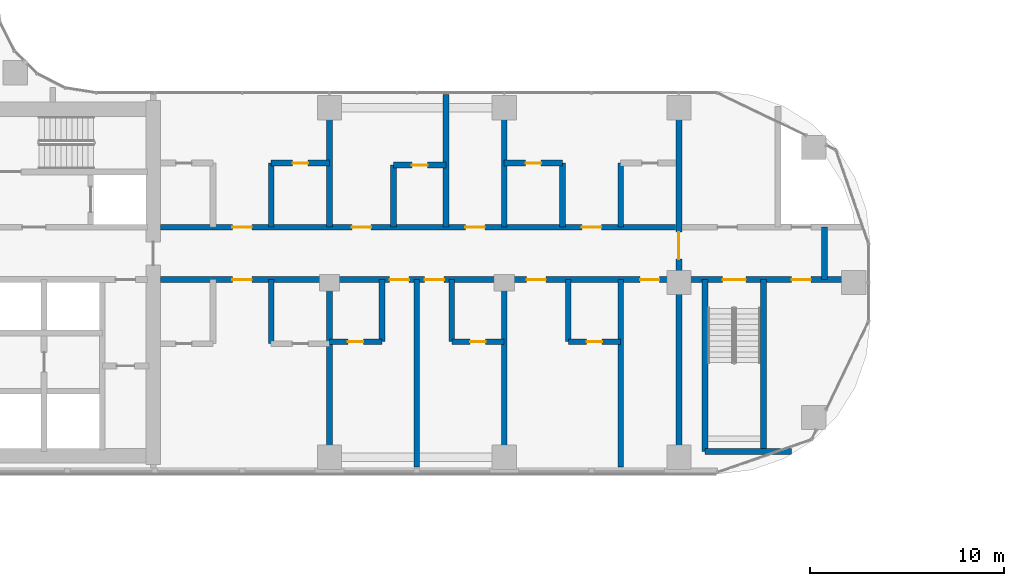
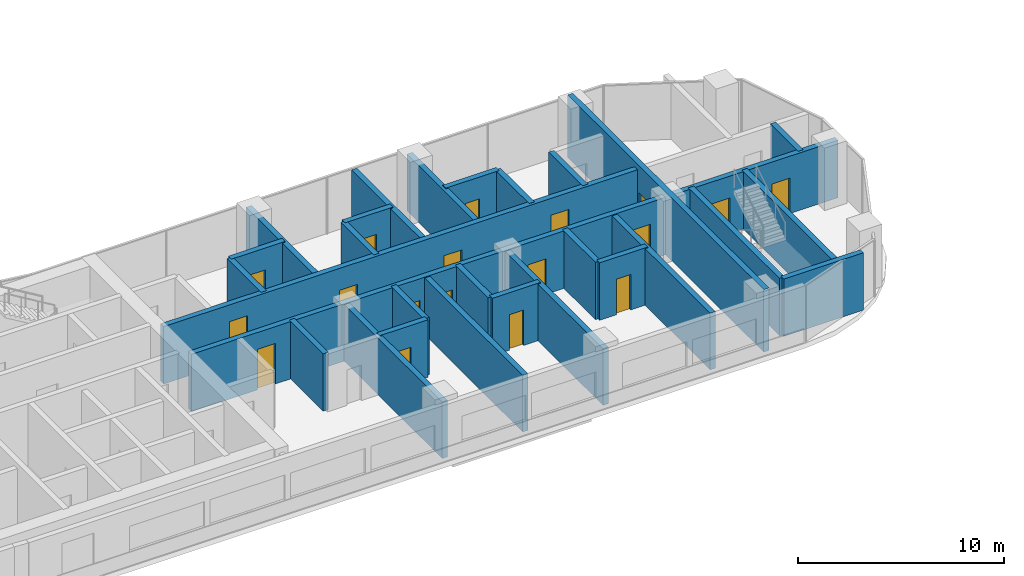
# One storey, part 19 of 35: 29 walls, 18 doors, 18 openings.
"""IFC4 building model written with IfcOpenShell, lengths in metres."""

from ifc_helpers import new_model, si_unit, direction, frame, frame_2d, origin, place, context, subcontext, project, spatial, rectangle, extrude, material, layer, layer_set, type_object, element, fill, save


model = new_model("IFC4")

# Units and contexts
model_context = context("Model", 3, precision=1e-05, world=origin(), true_north=direction((0.0, 1.0)))
body_context = subcontext(model_context, "Body", "Model", "MODEL_VIEW")
ifc_project = project(units=[si_unit("LENGTHUNIT", "METRE"), si_unit("AREAUNIT", "SQUARE_METRE"), si_unit("VOLUMEUNIT", "CUBIC_METRE"), si_unit("PLANEANGLEUNIT", "RADIAN"), si_unit("MASSUNIT", "GRAM", prefix="KILO")], contexts=[model_context])

# Site, building, storey
site_placement = place(None, origin())
site = spatial("IfcSite", under=ifc_project, at=site_placement, CompositionType="ELEMENT")
building_placement = place(site_placement, origin())
building = spatial("IfcBuilding", under=site, at=building_placement, Name="Ogive Portal Towers", CompositionType="ELEMENT")
storey_placement = place(building_placement, frame((0.0, 0.0, 94.5)))
storey = spatial("IfcBuildingStorey", under=building, at=storey_placement, Name="L22", CompositionType="ELEMENT", Elevation=94.5)

# Wall, opening, door
ifc_material_1 = material(Name="Concrete C60/75", Category="concrete")
ifc_layer_1 = layer(ifc_material_1, 0.300048828125)
ifc_layer_set_1 = layer_set([ifc_layer_1], Name="REVEAL WALL 300 C60")
wall_type_1 = type_object("IfcWallType", Name="REVEAL WALL 300 C60", PredefinedType="SHEAR", material=ifc_layer_set_1)
wall_1_placement = place(storey_placement, frame((85.5, 20.9951171875, 0.0), z_axis=(0.0, 0.0, 1.0), x_axis=(0.0, 1.0, 0.0)))
wall_1 = element("IfcWall", 1, at=wall_1_placement, inside=storey, type_object=wall_type_1, Name="Portal reveal wall L22", PredefinedType="SHEAR", context=body_context, shape_type="SweptSolid", body=[
    extrude(rectangle(XDim=19.009765625, YDim=0.300048828125, at=frame_2d((9.5048828125, 0.0))), origin(), (0.0, 0.0, 1.0), 3.699951171875),
])
opening_1_placement = place(wall_1_placement, frame((10.705078125, 0.0, 0.0)))
opening_1 = element("IfcOpeningElement", 2, at=opening_1_placement, cuts=wall_1, Name="Opening D07-066", PredefinedType="OPENING", context=body_context, shape_type="SweptSolid", body=[
    extrude(rectangle(XDim=1.39990234375, YDim=2.10009765625, at=frame_2d((0.699951171875, 1.050048828125))), frame((0.0, 0.16015625, 0.0), z_axis=(0.0, -1.0, 0.0), x_axis=(1.0, 0.0, 0.0)), (0.0, 0.0, 1.0), 0.320068359375),
])
ifc_material_2 = material(Name="Steel fire door", Category="steel")
door_type_1 = type_object("IfcDoorType", Name="DT-STAIR-1400x2100-FD90S", OperationType="SINGLE_SWING_LEFT", PredefinedType="DOOR", material=ifc_material_2)
door_1_placement = place(opening_1_placement, origin())
door_1 = element("IfcDoor", 3, at=door_1_placement, inside=storey, type_object=door_type_1, Name="Door D07-066", OperationType="SINGLE_SWING_RIGHT", OverallHeight=2.10009765625, OverallWidth=1.39990234375, PredefinedType="DOOR", context=body_context, shape_type="SweptSolid", body=[
    extrude(rectangle(XDim=1.39990234375, YDim=2.10009765625, at=frame_2d((0.699951171875, 1.050048828125))), frame((0.0, 0.02490234375, 0.0), z_axis=(0.0, -1.0, 0.0), x_axis=(1.0, 0.0, 0.0)), (0.0, 0.0, 1.0), 0.050048828125),
])
fill(opening_1, door_1)

# Wall
ifc_material_3 = material(Name="Concrete C50/60", Category="concrete")
ifc_layer_2 = layer(ifc_material_3, 0.300048828125)
ifc_layer_set_2 = layer_set([ifc_layer_2], Name="STAIR WALL 300 C50")
wall_type_2 = type_object("IfcWallType", Name="STAIR WALL 300 C50", PredefinedType="SHEAR", material=ifc_layer_set_2)
wall_2_placement = place(storey_placement, frame((86.85009765625, 21.800048828125, 0.0), z_axis=(0.0, 0.0, 1.0), x_axis=(1.0, 0.0, 0.0)))
element("IfcWall", 4, at=wall_2_placement, inside=storey, type_object=wall_type_2, Name="Stair wall ST-A4 L22", PredefinedType="SHEAR", context=body_context, shape_type="SweptSolid", body=[
    extrude(rectangle(XDim=4.4599609375, YDim=0.300048828125, at=frame_2d((2.22998046875, 0.0))), origin(), (0.0, 0.0, 1.0), 3.39990234375),
])

# Wall, openings, doors
wall_3_placement = place(storey_placement, frame((85.669921875, 30.64990234375, 0.0), z_axis=(0.0, 0.0, 1.0), x_axis=(1.0, 0.0, 0.0)))
wall_3 = element("IfcWall", 5, at=wall_3_placement, inside=storey, type_object=wall_type_2, Name="Stair wall ST-A4 L22", PredefinedType="SHEAR", context=body_context, shape_type="SweptSolid", body=[
    extrude(rectangle(XDim=9.3349609375, YDim=0.300048828125, at=frame_2d((4.66748046875, 0.0))), origin(), (0.0, 0.0, 1.0), 3.39990234375),
])
opening_2_placement = place(wall_3_placement, frame((2.080078125, 0.0, 0.0)))
opening_2 = element("IfcOpeningElement", 6, at=opening_2_placement, cuts=wall_3, Name="Opening D07-061", PredefinedType="OPENING", context=body_context, shape_type="SweptSolid", body=[
    extrude(rectangle(XDim=1.199951171875, YDim=2.10009765625, at=frame_2d((0.60009765625, 1.050048828125))), frame((0.0, 0.16015625, 0.0), z_axis=(0.0, -1.0, 0.0), x_axis=(1.0, 0.0, 0.0)), (0.0, 0.0, 1.0), 0.320068359375),
])
opening_3_placement = place(wall_3_placement, frame((5.6298828125, 0.0, 0.0)))
opening_3 = element("IfcOpeningElement", 7, at=opening_3_placement, cuts=wall_3, Name="Opening D07-064", PredefinedType="OPENING", context=body_context, shape_type="SweptSolid", body=[
    extrude(rectangle(XDim=1.0, YDim=2.10009765625, at=frame_2d((0.5, 1.050048828125))), frame((0.0, 0.16015625, 0.0), z_axis=(0.0, -1.0, 0.0), x_axis=(1.0, 0.0, 0.0)), (0.0, 0.0, 1.0), 0.320068359375),
])
door_type_2 = type_object("IfcDoorType", Name="DT-SERVICE-1000x2100-FD90S", OperationType="SINGLE_SWING_LEFT", PredefinedType="DOOR", material=ifc_material_2)
door_2_placement = place(opening_3_placement, origin())
door_2 = element("IfcDoor", 8, at=door_2_placement, inside=storey, type_object=door_type_2, Name="Door D07-064", OperationType="SINGLE_SWING_LEFT", OverallHeight=2.10009765625, OverallWidth=1.0, PredefinedType="DOOR", context=body_context, shape_type="SweptSolid", body=[
    extrude(rectangle(XDim=1.0, YDim=2.10009765625, at=frame_2d((0.5, 1.050048828125))), frame((0.0, 0.02490234375, 0.0), z_axis=(0.0, -1.0, 0.0), x_axis=(1.0, 0.0, 0.0)), (0.0, 0.0, 1.0), 0.050048828125),
])
fill(opening_3, door_2)
door_type_3 = type_object("IfcDoorType", Name="DT-STAIR-1200x2100-FD90S", OperationType="SINGLE_SWING_LEFT", PredefinedType="DOOR", material=ifc_material_2)
door_3_placement = place(opening_2_placement, origin())
door_3 = element("IfcDoor", 9, at=door_3_placement, inside=storey, type_object=door_type_3, Name="Door D07-061", OperationType="SINGLE_SWING_LEFT", OverallHeight=2.10009765625, OverallWidth=1.199951171875, PredefinedType="DOOR", context=body_context, shape_type="SweptSolid", body=[
    extrude(rectangle(XDim=1.199951171875, YDim=2.10009765625, at=frame_2d((0.60009765625, 1.050048828125))), frame((0.0, 0.02490234375, 0.0), z_axis=(0.0, -1.0, 0.0), x_axis=(1.0, 0.0, 0.0)), (0.0, 0.0, 1.0), 0.050048828125),
])
fill(opening_2, door_3)

# Walls
for number, where, z_axis, x_axis, name in (
    (10, (86.85009765625, 21.800048828125, 0.0), (0.0, 0.0, 1.0), (0.0, 1.0, 0.0), "Stair wall ST-A4 L22"),
    (11, (89.85009765625, 21.800048828125, 0.0), (0.0, 0.0, 1.0), (0.0, 1.0, 0.0), "Stair wall ST-A4 L22"),
):
    element("IfcWall", number, at=place(storey_placement, frame(where, z_axis=z_axis, x_axis=x_axis)), inside=storey, type_object=wall_type_2, Name=name, PredefinedType="SHEAR", context=body_context, shape_type="SweptSolid", body=[
        extrude(rectangle(XDim=8.849853515625, YDim=0.300048828125, at=frame_2d((4.4248046875, 0.0))), origin(), (0.0, 0.0, 1.0), 3.39990234375),
    ])

# Wall, openings, doors
ifc_material_4 = material(Name="Gypsum board partition on steel studs", Category="steel")
ifc_layer_3 = layer(ifc_material_4, 0.300048828125)
ifc_layer_set_3 = layer_set([ifc_layer_3], Name="WT-PART-300-EI 120")
wall_type_3 = type_object("IfcWallType", Name="WT-PART-300-EI 120", PredefinedType="PARTITIONING", material=ifc_layer_set_3)
wall_4_placement = place(storey_placement, frame((58.800048828125, 30.64990234375, 0.0), z_axis=(0.0, 0.0, 1.0), x_axis=(1.0, 0.0, 0.0)))
wall_4 = element("IfcWall", 12, at=wall_4_placement, inside=storey, type_object=wall_type_3, Name="Wall L22:w007", PredefinedType="PARTITIONING", context=body_context, shape_type="SweptSolid", body=[
    extrude(rectangle(XDim=26.530029296875, YDim=0.300048828125, at=frame_2d((13.26513671875, 0.0))), origin(), (0.0, 0.0, 1.0), 3.39990234375),
])
opening_4_placement = place(wall_4_placement, frame((3.699951171875, 0.0, 0.0)))
opening_4 = element("IfcOpeningElement", 13, at=opening_4_placement, cuts=wall_4, Name="Opening D07-031", PredefinedType="OPENING", context=body_context, shape_type="SweptSolid", body=[
    extrude(rectangle(XDim=1.0, YDim=2.39990234375, at=frame_2d((0.5, 1.199951171875))), frame((0.0, 0.16015625, 0.0), z_axis=(0.0, -1.0, 0.0), x_axis=(1.0, 0.0, 0.0)), (0.0, 0.0, 1.0), 0.320068359375),
])
opening_5_placement = place(wall_4_placement, frame((11.800048828125, 0.0, 0.0)))
opening_5 = element("IfcOpeningElement", 14, at=opening_5_placement, cuts=wall_4, Name="Opening D07-036", PredefinedType="OPENING", context=body_context, shape_type="SweptSolid", body=[
    extrude(rectangle(XDim=1.0, YDim=2.10009765625, at=frame_2d((0.5, 1.050048828125))), frame((0.0, 0.16015625, 0.0), z_axis=(0.0, -1.0, 0.0), x_axis=(1.0, 0.0, 0.0)), (0.0, 0.0, 1.0), 0.320068359375),
])
opening_6_placement = place(wall_4_placement, frame((13.60009765625, 0.0, 0.0)))
opening_6 = element("IfcOpeningElement", 15, at=opening_6_placement, cuts=wall_4, Name="Opening D07-038", PredefinedType="OPENING", context=body_context, shape_type="SweptSolid", body=[
    extrude(rectangle(XDim=1.0, YDim=2.10009765625, at=frame_2d((0.5, 1.050048828125))), frame((0.0, 0.16015625, 0.0), z_axis=(0.0, -1.0, 0.0), x_axis=(1.0, 0.0, 0.0)), (0.0, 0.0, 1.0), 0.320068359375),
])
opening_7_placement = place(wall_4_placement, frame((18.85009765625, 0.0, 0.0)))
opening_7 = element("IfcOpeningElement", 16, at=opening_7_placement, cuts=wall_4, Name="Opening D07-043", PredefinedType="OPENING", context=body_context, shape_type="SweptSolid", body=[
    extrude(rectangle(XDim=1.0, YDim=2.10009765625, at=frame_2d((0.5, 1.050048828125))), frame((0.0, 0.16015625, 0.0), z_axis=(0.0, -1.0, 0.0), x_axis=(1.0, 0.0, 0.0)), (0.0, 0.0, 1.0), 0.320068359375),
])
opening_8_placement = place(wall_4_placement, frame((24.699951171875, 0.0, 0.0)))
opening_8 = element("IfcOpeningElement", 17, at=opening_8_placement, cuts=wall_4, Name="Opening D07-044", PredefinedType="OPENING", context=body_context, shape_type="SweptSolid", body=[
    extrude(rectangle(XDim=1.0, YDim=2.10009765625, at=frame_2d((0.5, 1.050048828125))), frame((0.0, 0.16015625, 0.0), z_axis=(0.0, -1.0, 0.0), x_axis=(1.0, 0.0, 0.0)), (0.0, 0.0, 1.0), 0.320068359375),
])
door_type_4 = type_object("IfcDoorType", Name="DT-ENTRY-1000x2100-FD90S", OperationType="SINGLE_SWING_LEFT", PredefinedType="DOOR", material=ifc_material_2)
door_4_placement = place(opening_5_placement, origin())
door_4 = element("IfcDoor", 18, at=door_4_placement, inside=storey, type_object=door_type_4, Name="Door D07-036", OperationType="SINGLE_SWING_LEFT", OverallHeight=2.10009765625, OverallWidth=1.0, PredefinedType="DOOR", context=body_context, shape_type="SweptSolid", body=[
    extrude(rectangle(XDim=1.0, YDim=2.10009765625, at=frame_2d((0.5, 1.050048828125))), frame((0.0, 0.02490234375, 0.0), z_axis=(0.0, -1.0, 0.0), x_axis=(1.0, 0.0, 0.0)), (0.0, 0.0, 1.0), 0.050048828125),
])
fill(opening_5, door_4)
door_5_placement = place(opening_6_placement, origin())
door_5 = element("IfcDoor", 19, at=door_5_placement, inside=storey, type_object=door_type_4, Name="Door D07-038", OperationType="SINGLE_SWING_RIGHT", OverallHeight=2.10009765625, OverallWidth=1.0, PredefinedType="DOOR", context=body_context, shape_type="SweptSolid", body=[
    extrude(rectangle(XDim=1.0, YDim=2.10009765625, at=frame_2d((0.5, 1.050048828125))), frame((0.0, 0.02490234375, 0.0), z_axis=(0.0, -1.0, 0.0), x_axis=(1.0, 0.0, 0.0)), (0.0, 0.0, 1.0), 0.050048828125),
])
fill(opening_6, door_5)
door_6_placement = place(opening_7_placement, origin())
door_6 = element("IfcDoor", 20, at=door_6_placement, inside=storey, type_object=door_type_4, Name="Door D07-043", OperationType="SINGLE_SWING_LEFT", OverallHeight=2.10009765625, OverallWidth=1.0, PredefinedType="DOOR", context=body_context, shape_type="SweptSolid", body=[
    extrude(rectangle(XDim=1.0, YDim=2.10009765625, at=frame_2d((0.5, 1.050048828125))), frame((0.0, 0.02490234375, 0.0), z_axis=(0.0, -1.0, 0.0), x_axis=(1.0, 0.0, 0.0)), (0.0, 0.0, 1.0), 0.050048828125),
])
fill(opening_7, door_6)
door_7_placement = place(opening_8_placement, origin())
door_7 = element("IfcDoor", 21, at=door_7_placement, inside=storey, type_object=door_type_4, Name="Door D07-044", OperationType="SINGLE_SWING_LEFT", OverallHeight=2.10009765625, OverallWidth=1.0, PredefinedType="DOOR", context=body_context, shape_type="SweptSolid", body=[
    extrude(rectangle(XDim=1.0, YDim=2.10009765625, at=frame_2d((0.5, 1.050048828125))), frame((0.0, 0.02490234375, 0.0), z_axis=(0.0, -1.0, 0.0), x_axis=(1.0, 0.0, 0.0)), (0.0, 0.0, 1.0), 0.050048828125),
])
fill(opening_8, door_7)
door_type_5 = type_object("IfcDoorType", Name="DT-ENTRY-1000x2400-FD90S", OperationType="SINGLE_SWING_LEFT", PredefinedType="DOOR", material=ifc_material_2)
door_8_placement = place(opening_4_placement, origin())
door_8 = element("IfcDoor", 22, at=door_8_placement, inside=storey, type_object=door_type_5, Name="Door D07-031", OperationType="SINGLE_SWING_LEFT", OverallHeight=2.39990234375, OverallWidth=1.0, PredefinedType="DOOR", context=body_context, shape_type="SweptSolid", body=[
    extrude(rectangle(XDim=1.0, YDim=2.39990234375, at=frame_2d((0.5, 1.199951171875))), frame((0.0, 0.02490234375, 0.0), z_axis=(0.0, -1.0, 0.0), x_axis=(1.0, 0.0, 0.0)), (0.0, 0.0, 1.0), 0.050048828125),
])
fill(opening_4, door_8)

wall_5_placement = place(storey_placement, frame((58.800048828125, 33.35009765625, 0.0), z_axis=(0.0, 0.0, 1.0), x_axis=(1.0, 0.0, 0.0)))
wall_5 = element("IfcWall", 23, at=wall_5_placement, inside=storey, type_object=wall_type_3, Name="Wall L22:w009", PredefinedType="PARTITIONING", context=body_context, shape_type="SweptSolid", body=[
    extrude(rectangle(XDim=26.530029296875, YDim=0.300048828125, at=frame_2d((13.26513671875, 0.0))), origin(), (0.0, 0.0, 1.0), 3.39990234375),
])
opening_9_placement = place(wall_5_placement, frame((3.699951171875, 0.0, 0.0)))
opening_9 = element("IfcOpeningElement", 24, at=opening_9_placement, cuts=wall_5, Name="Opening D07-028", PredefinedType="OPENING", context=body_context, shape_type="SweptSolid", body=[
    extrude(rectangle(XDim=1.0, YDim=2.39990234375, at=frame_2d((0.5, 1.199951171875))), frame((0.0, 0.16015625, 0.0), z_axis=(0.0, -1.0, 0.0), x_axis=(1.0, 0.0, 0.0)), (0.0, 0.0, 1.0), 0.320068359375),
])
opening_10_placement = place(wall_5_placement, frame((9.85009765625, 0.0, 0.0)))
opening_10 = element("IfcOpeningElement", 25, at=opening_10_placement, cuts=wall_5, Name="Opening D07-033", PredefinedType="OPENING", context=body_context, shape_type="SweptSolid", body=[
    extrude(rectangle(XDim=1.0, YDim=2.10009765625, at=frame_2d((0.5, 1.050048828125))), frame((0.0, 0.16015625, 0.0), z_axis=(0.0, -1.0, 0.0), x_axis=(1.0, 0.0, 0.0)), (0.0, 0.0, 1.0), 0.320068359375),
])
opening_11_placement = place(wall_5_placement, frame((15.699951171875, 0.0, 0.0)))
opening_11 = element("IfcOpeningElement", 26, at=opening_11_placement, cuts=wall_5, Name="Opening D07-034", PredefinedType="OPENING", context=body_context, shape_type="SweptSolid", body=[
    extrude(rectangle(XDim=1.0, YDim=2.10009765625, at=frame_2d((0.5, 1.050048828125))), frame((0.0, 0.16015625, 0.0), z_axis=(0.0, -1.0, 0.0), x_axis=(1.0, 0.0, 0.0)), (0.0, 0.0, 1.0), 0.320068359375),
])
opening_12_placement = place(wall_5_placement, frame((21.699951171875, 0.0, 0.0)))
opening_12 = element("IfcOpeningElement", 27, at=opening_12_placement, cuts=wall_5, Name="Opening D07-041", PredefinedType="OPENING", context=body_context, shape_type="SweptSolid", body=[
    extrude(rectangle(XDim=1.0, YDim=2.39990234375, at=frame_2d((0.5, 1.199951171875))), frame((0.0, 0.16015625, 0.0), z_axis=(0.0, -1.0, 0.0), x_axis=(1.0, 0.0, 0.0)), (0.0, 0.0, 1.0), 0.320068359375),
])
door_9_placement = place(opening_10_placement, origin())
door_9 = element("IfcDoor", 28, at=door_9_placement, inside=storey, type_object=door_type_4, Name="Door D07-033", OperationType="SINGLE_SWING_LEFT", OverallHeight=2.10009765625, OverallWidth=1.0, PredefinedType="DOOR", context=body_context, shape_type="SweptSolid", body=[
    extrude(rectangle(XDim=1.0, YDim=2.10009765625, at=frame_2d((0.5, 1.050048828125))), frame((0.0, 0.02490234375, 0.0), z_axis=(0.0, -1.0, 0.0), x_axis=(1.0, 0.0, 0.0)), (0.0, 0.0, 1.0), 0.050048828125),
])
fill(opening_10, door_9)
door_10_placement = place(opening_11_placement, origin())
door_10 = element("IfcDoor", 29, at=door_10_placement, inside=storey, type_object=door_type_4, Name="Door D07-034", OperationType="SINGLE_SWING_RIGHT", OverallHeight=2.10009765625, OverallWidth=1.0, PredefinedType="DOOR", context=body_context, shape_type="SweptSolid", body=[
    extrude(rectangle(XDim=1.0, YDim=2.10009765625, at=frame_2d((0.5, 1.050048828125))), frame((0.0, 0.02490234375, 0.0), z_axis=(0.0, -1.0, 0.0), x_axis=(1.0, 0.0, 0.0)), (0.0, 0.0, 1.0), 0.050048828125),
])
fill(opening_11, door_10)
door_11_placement = place(opening_9_placement, origin())
door_11 = element("IfcDoor", 30, at=door_11_placement, inside=storey, type_object=door_type_5, Name="Door D07-028", OperationType="SINGLE_SWING_LEFT", OverallHeight=2.39990234375, OverallWidth=1.0, PredefinedType="DOOR", context=body_context, shape_type="SweptSolid", body=[
    extrude(rectangle(XDim=1.0, YDim=2.39990234375, at=frame_2d((0.5, 1.199951171875))), frame((0.0, 0.02490234375, 0.0), z_axis=(0.0, -1.0, 0.0), x_axis=(1.0, 0.0, 0.0)), (0.0, 0.0, 1.0), 0.050048828125),
])
fill(opening_9, door_11)
door_12_placement = place(opening_12_placement, origin())
door_12 = element("IfcDoor", 31, at=door_12_placement, inside=storey, type_object=door_type_5, Name="Door D07-041", OperationType="SINGLE_SWING_LEFT", OverallHeight=2.39990234375, OverallWidth=1.0, PredefinedType="DOOR", context=body_context, shape_type="SweptSolid", body=[
    extrude(rectangle(XDim=1.0, YDim=2.39990234375, at=frame_2d((0.5, 1.199951171875))), frame((0.0, 0.02490234375, 0.0), z_axis=(0.0, -1.0, 0.0), x_axis=(1.0, 0.0, 0.0)), (0.0, 0.0, 1.0), 0.050048828125),
])
fill(opening_12, door_12)

# Wall
wall_6_placement = place(storey_placement, frame((93.0, 30.64990234375, 0.0), z_axis=(0.0, 0.0, 1.0), x_axis=(0.0, 1.0, 0.0)))
element("IfcWall", 32, at=wall_6_placement, inside=storey, type_object=wall_type_3, Name="Wall L22:w064", PredefinedType="PARTITIONING", context=body_context, shape_type="SweptSolid", body=[
    extrude(rectangle(XDim=2.7001953125, YDim=0.300048828125, at=frame_2d((1.35009765625, 0.0))), origin(), (0.0, 0.0, 1.0), 3.39990234375),
])

# Wall, opening, door
ifc_layer_4 = layer(ifc_material_4, 0.300048828125)
ifc_layer_set_4 = layer_set([ifc_layer_4], Name="WT-PART-300-EI 60")
wall_type_4 = type_object("IfcWallType", Name="WT-PART-300-EI 60", PredefinedType="PARTITIONING", material=ifc_layer_set_4)
wall_7_placement = place(storey_placement, frame((67.5, 27.449951171875, 0.0), z_axis=(0.0, 0.0, 1.0), x_axis=(1.0, 0.0, 0.0)))
wall_7 = element("IfcWall", 33, at=wall_7_placement, inside=storey, type_object=wall_type_4, Name="Wall L22:w004", PredefinedType="PARTITIONING", context=body_context, shape_type="SweptSolid", body=[
    extrude(rectangle(XDim=2.699951171875, YDim=0.300048828125, at=frame_2d((1.35009765625, 0.0))), origin(), (0.0, 0.0, 1.0), 3.39990234375),
])
opening_13_placement = place(wall_7_placement, frame((0.949951171875, 0.0, 0.0)))
opening_13 = element("IfcOpeningElement", 34, at=opening_13_placement, cuts=wall_7, Name="Opening D07-035", PredefinedType="OPENING", context=body_context, shape_type="SweptSolid", body=[
    extrude(rectangle(XDim=0.800048828125, YDim=2.10009765625, at=frame_2d((0.39990234375, 1.050048828125))), frame((0.0, 0.16015625, 0.0), z_axis=(0.0, -1.0, 0.0), x_axis=(1.0, 0.0, 0.0)), (0.0, 0.0, 1.0), 0.320068359375),
])
door_type_6 = type_object("IfcDoorType", Name="DT-BATH-800x2100-FD60S", OperationType="SINGLE_SWING_LEFT", PredefinedType="DOOR", material=ifc_material_2)
door_13_placement = place(opening_13_placement, origin())
door_13 = element("IfcDoor", 35, at=door_13_placement, inside=storey, type_object=door_type_6, Name="Door D07-035", OperationType="SINGLE_SWING_LEFT", OverallHeight=2.10009765625, OverallWidth=0.800048828125, PredefinedType="DOOR", context=body_context, shape_type="SweptSolid", body=[
    extrude(rectangle(XDim=0.800048828125, YDim=2.10009765625, at=frame_2d((0.39990234375, 1.050048828125))), frame((0.0, 0.02490234375, 0.0), z_axis=(0.0, -1.0, 0.0), x_axis=(1.0, 0.0, 0.0)), (0.0, 0.0, 1.0), 0.050048828125),
])
fill(opening_13, door_13)

wall_8_placement = place(storey_placement, frame((73.800048828125, 27.449951171875, 0.0), z_axis=(0.0, 0.0, 1.0), x_axis=(1.0, 0.0, 0.0)))
wall_8 = element("IfcWall", 36, at=wall_8_placement, inside=storey, type_object=wall_type_4, Name="Wall L22:w005", PredefinedType="PARTITIONING", context=body_context, shape_type="SweptSolid", body=[
    extrude(rectangle(XDim=2.699951171875, YDim=0.300048828125, at=frame_2d((1.35009765625, 0.0))), origin(), (0.0, 0.0, 1.0), 3.39990234375),
])
opening_14_placement = place(wall_8_placement, frame((0.949951171875, 0.0, 0.0)))
opening_14 = element("IfcOpeningElement", 37, at=opening_14_placement, cuts=wall_8, Name="Opening D07-037", PredefinedType="OPENING", context=body_context, shape_type="SweptSolid", body=[
    extrude(rectangle(XDim=0.800048828125, YDim=2.10009765625, at=frame_2d((0.39990234375, 1.050048828125))), frame((0.0, 0.16015625, 0.0), z_axis=(0.0, -1.0, 0.0), x_axis=(1.0, 0.0, 0.0)), (0.0, 0.0, 1.0), 0.320068359375),
])
door_14_placement = place(opening_14_placement, origin())
door_14 = element("IfcDoor", 38, at=door_14_placement, inside=storey, type_object=door_type_6, Name="Door D07-037", OperationType="SINGLE_SWING_LEFT", OverallHeight=2.10009765625, OverallWidth=0.800048828125, PredefinedType="DOOR", context=body_context, shape_type="SweptSolid", body=[
    extrude(rectangle(XDim=0.800048828125, YDim=2.10009765625, at=frame_2d((0.39990234375, 1.050048828125))), frame((0.0, 0.02490234375, 0.0), z_axis=(0.0, -1.0, 0.0), x_axis=(1.0, 0.0, 0.0)), (0.0, 0.0, 1.0), 0.050048828125),
])
fill(opening_14, door_14)

wall_9_placement = place(storey_placement, frame((79.800048828125, 27.449951171875, 0.0), z_axis=(0.0, 0.0, 1.0), x_axis=(1.0, 0.0, 0.0)))
wall_9 = element("IfcWall", 39, at=wall_9_placement, inside=storey, type_object=wall_type_4, Name="Wall L22:w006", PredefinedType="PARTITIONING", context=body_context, shape_type="SweptSolid", body=[
    extrude(rectangle(XDim=2.699951171875, YDim=0.300048828125, at=frame_2d((1.35009765625, 0.0))), origin(), (0.0, 0.0, 1.0), 3.39990234375),
])
opening_15_placement = place(wall_9_placement, frame((0.949951171875, 0.0, 0.0)))
opening_15 = element("IfcOpeningElement", 40, at=opening_15_placement, cuts=wall_9, Name="Opening D07-042", PredefinedType="OPENING", context=body_context, shape_type="SweptSolid", body=[
    extrude(rectangle(XDim=0.800048828125, YDim=2.10009765625, at=frame_2d((0.39990234375, 1.050048828125))), frame((0.0, 0.16015625, 0.0), z_axis=(0.0, -1.0, 0.0), x_axis=(1.0, 0.0, 0.0)), (0.0, 0.0, 1.0), 0.320068359375),
])
door_15_placement = place(opening_15_placement, origin())
door_15 = element("IfcDoor", 41, at=door_15_placement, inside=storey, type_object=door_type_6, Name="Door D07-042", OperationType="SINGLE_SWING_RIGHT", OverallHeight=2.10009765625, OverallWidth=0.800048828125, PredefinedType="DOOR", context=body_context, shape_type="SweptSolid", body=[
    extrude(rectangle(XDim=0.800048828125, YDim=2.10009765625, at=frame_2d((0.39990234375, 1.050048828125))), frame((0.0, 0.02490234375, 0.0), z_axis=(0.0, -1.0, 0.0), x_axis=(1.0, 0.0, 0.0)), (0.0, 0.0, 1.0), 0.050048828125),
])
fill(opening_15, door_15)

wall_10_placement = place(storey_placement, frame((70.800048828125, 36.550048828125, 0.0), z_axis=(0.0, 0.0, 1.0), x_axis=(1.0, 0.0, 0.0)))
wall_10 = element("IfcWall", 42, at=wall_10_placement, inside=storey, type_object=wall_type_4, Name="Wall L22:w011", PredefinedType="PARTITIONING", context=body_context, shape_type="SweptSolid", body=[
    extrude(rectangle(XDim=2.699951171875, YDim=0.300048828125, at=frame_2d((1.35009765625, 0.0))), origin(), (0.0, 0.0, 1.0), 3.39990234375),
])
opening_16_placement = place(wall_10_placement, frame((0.949951171875, 0.0, 0.0)))
opening_16 = element("IfcOpeningElement", 43, at=opening_16_placement, cuts=wall_10, Name="Opening D07-032", PredefinedType="OPENING", context=body_context, shape_type="SweptSolid", body=[
    extrude(rectangle(XDim=0.800048828125, YDim=2.10009765625, at=frame_2d((0.39990234375, 1.050048828125))), frame((0.0, 0.16015625, 0.0), z_axis=(0.0, -1.0, 0.0), x_axis=(1.0, 0.0, 0.0)), (0.0, 0.0, 1.0), 0.320068359375),
])
door_16_placement = place(opening_16_placement, origin())
door_16 = element("IfcDoor", 44, at=door_16_placement, inside=storey, type_object=door_type_6, Name="Door D07-032", OperationType="SINGLE_SWING_LEFT", OverallHeight=2.10009765625, OverallWidth=0.800048828125, PredefinedType="DOOR", context=body_context, shape_type="SweptSolid", body=[
    extrude(rectangle(XDim=0.800048828125, YDim=2.10009765625, at=frame_2d((0.39990234375, 1.050048828125))), frame((0.0, 0.02490234375, 0.0), z_axis=(0.0, -1.0, 0.0), x_axis=(1.0, 0.0, 0.0)), (0.0, 0.0, 1.0), 0.050048828125),
])
fill(opening_16, door_16)

wall_11_placement = place(storey_placement, frame((64.5, 36.64990234375, 0.0), z_axis=(0.0, 0.0, 1.0), x_axis=(1.0, 0.0, 0.0)))
wall_11 = element("IfcWall", 45, at=wall_11_placement, inside=storey, type_object=wall_type_4, Name="Wall L22:w013", PredefinedType="PARTITIONING", context=body_context, shape_type="SweptSolid", body=[
    extrude(rectangle(XDim=3.0, YDim=0.300048828125, at=frame_2d((1.5, 0.0))), origin(), (0.0, 0.0, 1.0), 3.39990234375),
])
opening_17_placement = place(wall_11_placement, frame((1.10009765625, 0.0, 0.0)))
opening_17 = element("IfcOpeningElement", 46, at=opening_17_placement, cuts=wall_11, Name="Opening D07-027", PredefinedType="OPENING", context=body_context, shape_type="SweptSolid", body=[
    extrude(rectangle(XDim=0.800048828125, YDim=2.10009765625, at=frame_2d((0.39990234375, 1.050048828125))), frame((0.0, 0.16015625, 0.0), z_axis=(0.0, -1.0, 0.0), x_axis=(1.0, 0.0, 0.0)), (0.0, 0.0, 1.0), 0.320068359375),
])
door_17_placement = place(opening_17_placement, origin())
door_17 = element("IfcDoor", 47, at=door_17_placement, inside=storey, type_object=door_type_6, Name="Door D07-027", OperationType="SINGLE_SWING_RIGHT", OverallHeight=2.10009765625, OverallWidth=0.800048828125, PredefinedType="DOOR", context=body_context, shape_type="SweptSolid", body=[
    extrude(rectangle(XDim=0.800048828125, YDim=2.10009765625, at=frame_2d((0.39990234375, 1.050048828125))), frame((0.0, 0.02490234375, 0.0), z_axis=(0.0, -1.0, 0.0), x_axis=(1.0, 0.0, 0.0)), (0.0, 0.0, 1.0), 0.050048828125),
])
fill(opening_17, door_17)

wall_12_placement = place(storey_placement, frame((76.5, 36.64990234375, 0.0), z_axis=(0.0, 0.0, 1.0), x_axis=(1.0, 0.0, 0.0)))
wall_12 = element("IfcWall", 48, at=wall_12_placement, inside=storey, type_object=wall_type_4, Name="Wall L22:w014", PredefinedType="PARTITIONING", context=body_context, shape_type="SweptSolid", body=[
    extrude(rectangle(XDim=3.0, YDim=0.300048828125, at=frame_2d((1.5, 0.0))), origin(), (0.0, 0.0, 1.0), 3.39990234375),
])
opening_18_placement = place(wall_12_placement, frame((1.10009765625, 0.0, 0.0)))
opening_18 = element("IfcOpeningElement", 49, at=opening_18_placement, cuts=wall_12, Name="Opening D07-039", PredefinedType="OPENING", context=body_context, shape_type="SweptSolid", body=[
    extrude(rectangle(XDim=0.800048828125, YDim=2.10009765625, at=frame_2d((0.39990234375, 1.050048828125))), frame((0.0, 0.16015625, 0.0), z_axis=(0.0, -1.0, 0.0), x_axis=(1.0, 0.0, 0.0)), (0.0, 0.0, 1.0), 0.320068359375),
])
door_18_placement = place(opening_18_placement, origin())
door_18 = element("IfcDoor", 50, at=door_18_placement, inside=storey, type_object=door_type_6, Name="Door D07-039", OperationType="SINGLE_SWING_RIGHT", OverallHeight=2.10009765625, OverallWidth=0.800048828125, PredefinedType="DOOR", context=body_context, shape_type="SweptSolid", body=[
    extrude(rectangle(XDim=0.800048828125, YDim=2.10009765625, at=frame_2d((0.39990234375, 1.050048828125))), frame((0.0, 0.02490234375, 0.0), z_axis=(0.0, -1.0, 0.0), x_axis=(1.0, 0.0, 0.0)), (0.0, 0.0, 1.0), 0.050048828125),
])
fill(opening_18, door_18)

# Walls
for number, where, z_axis, x_axis, name in (
    (51, (64.5, 27.35009765625, 0.0), (0.0, 0.0, 1.0), (0.0, 1.0, 0.0), "Wall L22:w046"),
    (52, (64.5, 33.35009765625, 0.0), (0.0, 0.0, 1.0), (0.0, 1.0, 0.0), "Wall L22:w047"),
):
    element("IfcWall", number, at=place(storey_placement, frame(where, z_axis=z_axis, x_axis=x_axis)), inside=storey, type_object=wall_type_4, Name=name, PredefinedType="PARTITIONING", context=body_context, shape_type="SweptSolid", body=[
        extrude(rectangle(XDim=3.2998046875, YDim=0.300048828125, at=frame_2d((1.64990234375, 0.0))), origin(), (0.0, 0.0, 1.0), 3.39990234375),
    ])
wall_13_placement = place(storey_placement, frame((67.5, 20.9951171875, 0.0), z_axis=(0.0, 0.0, 1.0), x_axis=(0.0, 1.0, 0.0)))
element("IfcWall", 53, at=wall_13_placement, inside=storey, type_object=wall_type_4, Name="Wall L22:w048", PredefinedType="PARTITIONING", context=body_context, shape_type="SweptSolid", body=[
    extrude(rectangle(XDim=9.65478515625, YDim=0.300048828125, at=frame_2d((4.827392578125, 0.0))), origin(), (0.0, 0.0, 1.0), 3.35009765625),
])
wall_14_placement = place(storey_placement, frame((67.5, 33.35009765625, 0.0), z_axis=(0.0, 0.0, 1.0), x_axis=(0.0, 1.0, 0.0)))
element("IfcWall", 54, at=wall_14_placement, inside=storey, type_object=wall_type_4, Name="Wall L22:w049", PredefinedType="PARTITIONING", context=body_context, shape_type="SweptSolid", body=[
    extrude(rectangle(XDim=6.65478515625, YDim=0.300048828125, at=frame_2d((3.327392578125, 0.0))), origin(), (0.0, 0.0, 1.0), 3.35009765625),
])
for number, where, z_axis, x_axis, name in (
    (55, (70.199951171875, 27.449951171875, 0.0), (0.0, 0.0, 1.0), (0.0, 1.0, 0.0), "Wall L22:w050"),
    (56, (70.800048828125, 33.35009765625, 0.0), (0.0, 0.0, 1.0), (0.0, 1.0, 0.0), "Wall L22:w051"),
):
    element("IfcWall", number, at=place(storey_placement, frame(where, z_axis=z_axis, x_axis=x_axis)), inside=storey, type_object=wall_type_4, Name=name, PredefinedType="PARTITIONING", context=body_context, shape_type="SweptSolid", body=[
        extrude(rectangle(XDim=3.199951171875, YDim=0.300048828125, at=frame_2d((1.60009765625, 0.0))), origin(), (0.0, 0.0, 1.0), 3.39990234375),
    ])
wall_15_placement = place(storey_placement, frame((72.0, 20.9951171875, 0.0), z_axis=(0.0, 0.0, 1.0), x_axis=(0.0, 1.0, 0.0)))
element("IfcWall", 57, at=wall_15_placement, inside=storey, type_object=wall_type_4, Name="Wall L22:w052", PredefinedType="PARTITIONING", context=body_context, shape_type="SweptSolid", body=[
    extrude(rectangle(XDim=9.65478515625, YDim=0.300048828125, at=frame_2d((4.827392578125, 0.0))), origin(), (0.0, 0.0, 1.0), 3.35009765625),
])
wall_16_placement = place(storey_placement, frame((73.5, 33.35009765625, 0.0), z_axis=(0.0, 0.0, 1.0), x_axis=(0.0, 1.0, 0.0)))
element("IfcWall", 58, at=wall_16_placement, inside=storey, type_object=wall_type_4, Name="Wall L22:w053", PredefinedType="PARTITIONING", context=body_context, shape_type="SweptSolid", body=[
    extrude(rectangle(XDim=6.8349609375, YDim=0.300048828125, at=frame_2d((3.41748046875, 0.0))), origin(), (0.0, 0.0, 1.0), 3.35009765625),
])
wall_17_placement = place(storey_placement, frame((73.800048828125, 27.449951171875, 0.0), z_axis=(0.0, 0.0, 1.0), x_axis=(0.0, 1.0, 0.0)))
element("IfcWall", 59, at=wall_17_placement, inside=storey, type_object=wall_type_4, Name="Wall L22:w054", PredefinedType="PARTITIONING", context=body_context, shape_type="SweptSolid", body=[
    extrude(rectangle(XDim=3.199951171875, YDim=0.300048828125, at=frame_2d((1.60009765625, 0.0))), origin(), (0.0, 0.0, 1.0), 3.39990234375),
])
wall_18_placement = place(storey_placement, frame((76.5, 20.9951171875, 0.0), z_axis=(0.0, 0.0, 1.0), x_axis=(0.0, 1.0, 0.0)))
element("IfcWall", 60, at=wall_18_placement, inside=storey, type_object=wall_type_4, Name="Wall L22:w055", PredefinedType="PARTITIONING", context=body_context, shape_type="SweptSolid", body=[
    extrude(rectangle(XDim=9.65478515625, YDim=0.300048828125, at=frame_2d((4.827392578125, 0.0))), origin(), (0.0, 0.0, 1.0), 3.35009765625),
])
wall_19_placement = place(storey_placement, frame((76.5, 33.35009765625, 0.0), z_axis=(0.0, 0.0, 1.0), x_axis=(0.0, 1.0, 0.0)))
element("IfcWall", 61, at=wall_19_placement, inside=storey, type_object=wall_type_4, Name="Wall L22:w056", PredefinedType="PARTITIONING", context=body_context, shape_type="SweptSolid", body=[
    extrude(rectangle(XDim=6.65478515625, YDim=0.300048828125, at=frame_2d((3.327392578125, 0.0))), origin(), (0.0, 0.0, 1.0), 3.35009765625),
])
wall_20_placement = place(storey_placement, frame((79.5, 33.35009765625, 0.0), z_axis=(0.0, 0.0, 1.0), x_axis=(0.0, 1.0, 0.0)))
element("IfcWall", 62, at=wall_20_placement, inside=storey, type_object=wall_type_4, Name="Wall L22:w057", PredefinedType="PARTITIONING", context=body_context, shape_type="SweptSolid", body=[
    extrude(rectangle(XDim=3.2998046875, YDim=0.300048828125, at=frame_2d((1.64990234375, 0.0))), origin(), (0.0, 0.0, 1.0), 3.39990234375),
])
wall_21_placement = place(storey_placement, frame((79.800048828125, 27.449951171875, 0.0), z_axis=(0.0, 0.0, 1.0), x_axis=(0.0, 1.0, 0.0)))
element("IfcWall", 63, at=wall_21_placement, inside=storey, type_object=wall_type_4, Name="Wall L22:w058", PredefinedType="PARTITIONING", context=body_context, shape_type="SweptSolid", body=[
    extrude(rectangle(XDim=3.199951171875, YDim=0.300048828125, at=frame_2d((1.60009765625, 0.0))), origin(), (0.0, 0.0, 1.0), 3.39990234375),
])
wall_22_placement = place(storey_placement, frame((82.5, 20.9951171875, 0.0), z_axis=(0.0, 0.0, 1.0), x_axis=(0.0, 1.0, 0.0)))
element("IfcWall", 64, at=wall_22_placement, inside=storey, type_object=wall_type_4, Name="Wall L22:w059", PredefinedType="PARTITIONING", context=body_context, shape_type="SweptSolid", body=[
    extrude(rectangle(XDim=9.65478515625, YDim=0.300048828125, at=frame_2d((4.827392578125, 0.0))), origin(), (0.0, 0.0, 1.0), 3.35009765625),
])
wall_23_placement = place(storey_placement, frame((82.5, 33.35009765625, 0.0), z_axis=(0.0, 0.0, 1.0), x_axis=(0.0, 1.0, 0.0)))
element("IfcWall", 65, at=wall_23_placement, inside=storey, type_object=wall_type_4, Name="Wall L22:w060", PredefinedType="PARTITIONING", context=body_context, shape_type="SweptSolid", body=[
    extrude(rectangle(XDim=3.2998046875, YDim=0.300048828125, at=frame_2d((1.64990234375, 0.0))), origin(), (0.0, 0.0, 1.0), 3.39990234375),
])

save(model, "model.ifc")
